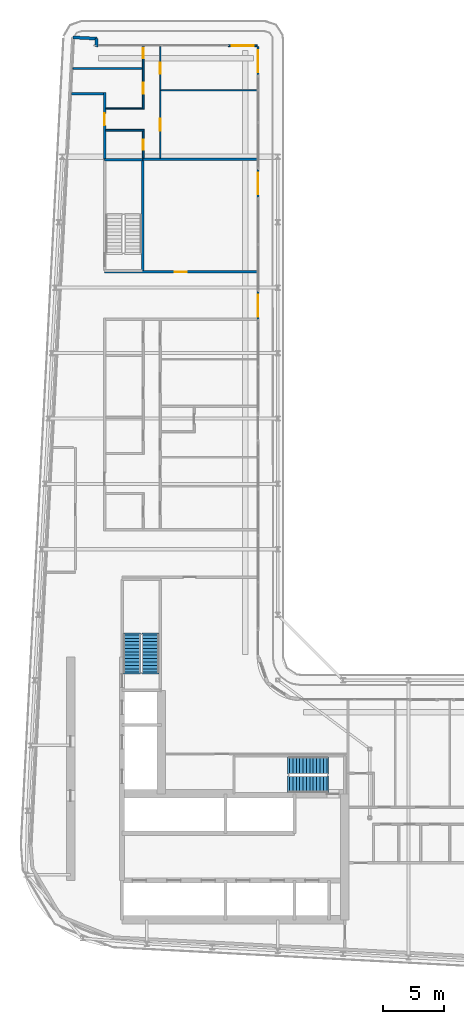
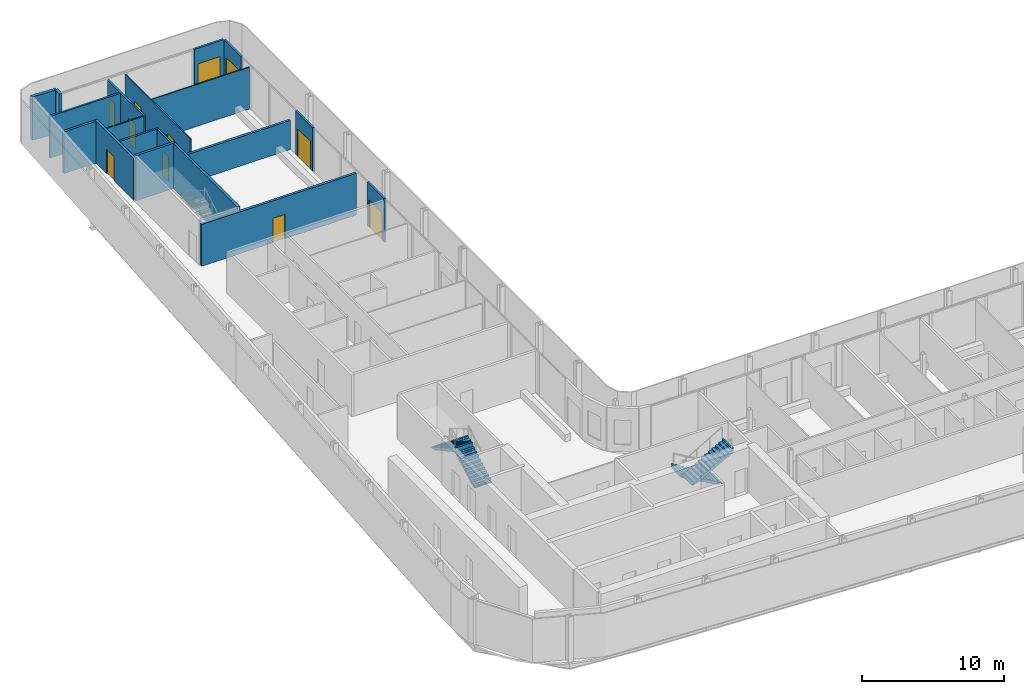
# One storey, part 14 of 22: 19 walls, 11 doors, 4 stair flights, 11 openings, 2 elements without a shape of their own.
"""IFC4 building model written with IfcOpenShell, lengths in metres."""

from ifc_helpers import new_model, si_unit, direction, frame, frame_2d, origin, place, context, subcontext, project, spatial, polyline, rectangle, outline, extrude, source, transform, mapped, material, layer, layer_set, type_object, element, fill, aggregate, save


model = new_model("IFC4")

# Units and contexts
model_context = context("Model", 3, precision=1e-05, world=origin(), true_north=direction((0.0, 1.0)))
body_context = subcontext(model_context, "Body", "Model", "MODEL_VIEW")
ifc_project = project(units=[si_unit("LENGTHUNIT", "METRE"), si_unit("AREAUNIT", "SQUARE_METRE"), si_unit("VOLUMEUNIT", "CUBIC_METRE"), si_unit("PLANEANGLEUNIT", "RADIAN"), si_unit("MASSUNIT", "GRAM", prefix="KILO")], contexts=[model_context])

# Site, building, storey
site_placement = place(None, origin())
site = spatial("IfcSite", under=ifc_project, at=site_placement, CompositionType="ELEMENT")
building_placement = place(site_placement, origin())
building = spatial("IfcBuilding", under=site, at=building_placement, Name="Kheshtan School and Residences Tower", CompositionType="ELEMENT")
storey_placement = place(building_placement, frame((0.0, 0.0, 263.0)))
storey = spatial("IfcBuildingStorey", under=building, at=storey_placement, Name="L62", CompositionType="ELEMENT", Elevation=263.0)

# Wall
ifc_material_1 = material(Name="Gypsum board on steel studs with fire boards", Category="steel")
ifc_layer_1 = layer(ifc_material_1, 0.199951171875)
ifc_layer_set_1 = layer_set([ifc_layer_1], Name="Corridor wall 200")
wall_type_1 = type_object("IfcWallType", Name="Corridor wall 200", PredefinedType="PARTITIONING", material=ifc_layer_set_1)
wall_1_placement = place(storey_placement, frame((30.584716796875, 94.0, 0.0), z_axis=(0.0, 0.0, 1.0), x_axis=(1.0, 0.0, 0.0)))
element("IfcWall", 1, at=wall_1_placement, inside=storey, type_object=wall_type_1, Name="Partition L62-002", PredefinedType="PARTITIONING", context=body_context, shape_type="SweptSolid", body=[
    extrude(rectangle(XDim=2.615234375, YDim=0.199951171875, at=frame_2d((1.3076171875, 0.0))), origin(), (0.0, 0.0, 1.0), 3.60009765625),
])

# Wall, opening, door
wall_2_placement = place(storey_placement, frame((33.300048828125, 79.300048828125, 0.0), z_axis=(0.0, 0.0, 1.0), x_axis=(1.0, 0.0, 0.0)))
wall_2 = element("IfcWall", 2, at=wall_2_placement, inside=storey, type_object=wall_type_1, Name="Partition L62-004", PredefinedType="PARTITIONING", context=body_context, shape_type="SweptSolid", body=[
    extrude(rectangle(XDim=12.599853515625, YDim=0.199951171875, at=frame_2d((6.2998046875, 0.0))), origin(), (0.0, 0.0, 1.0), 3.60009765625),
])
opening_1_placement = place(wall_2_placement, frame((5.794921875, 0.0, 0.0)))
opening_1 = element("IfcOpeningElement", 3, at=opening_1_placement, cuts=wall_2, Name="Opening D61-044", PredefinedType="OPENING", context=body_context, shape_type="SweptSolid", body=[
    extrude(rectangle(XDim=1.0, YDim=2.10009765625, at=frame_2d((0.5, 1.050048828125))), frame((0.0, 0.10986328125, 0.0), z_axis=(0.0, -1.0, 0.0), x_axis=(1.0, 0.0, 0.0)), (0.0, 0.0, 1.0), 0.219970703125),
])
ifc_material_2 = material(Name="Steel-framed fire-resisting door leaf", Category="steel")
door_type_1 = type_object("IfcDoorType", Name="Fire door FD60 1000 x 2100", OperationType="SINGLE_SWING_LEFT", PredefinedType="DOOR", material=ifc_material_2)
shared_shape_1 = source(origin(), body_context, "Body", "SweptSolid", [
    extrude(rectangle(XDim=1.0, YDim=2.10009765625, at=frame_2d((0.5, 1.050048828125))), frame((0.0, 0.02490234375, 0.0), z_axis=(0.0, -1.0, 0.0), x_axis=(1.0, 0.0, 0.0)), (0.0, 0.0, 1.0), 0.050048828125),
])
door_1_placement = place(opening_1_placement, origin())
door_1 = element("IfcDoor", 4, at=door_1_placement, inside=storey, type_object=door_type_1, Name="Door D61-044", OperationType="SINGLE_SWING_RIGHT", OverallHeight=2.10009765625, OverallWidth=1.0, PredefinedType="DOOR", context=body_context, shape_type="MappedRepresentation", body=[
    mapped(shared_shape_1, transform((0.0, 0.0, 0.0), x_axis=(1.0, 0.0, 0.0), y_axis=(0.0, 1.0, 0.0), z_axis=(0.0, 0.0, 1.0), scale=1.0)),
])
fill(opening_1, door_1)

wall_3_placement = place(storey_placement, frame((33.300048828125, 88.60009765625, 0.0), z_axis=(0.0, 0.0, 1.0), x_axis=(0.0, 1.0, 0.0)))
wall_3 = element("IfcWall", 5, at=wall_3_placement, inside=storey, type_object=wall_type_1, Name="Partition L62-005", PredefinedType="PARTITIONING", context=body_context, shape_type="SweptSolid", body=[
    extrude(rectangle(XDim=5.5, YDim=0.199951171875, at=frame_2d((2.75, 0.0))), origin(), (0.0, 0.0, 1.0), 3.60009765625),
])
opening_2_placement = place(wall_3_placement, frame((2.800048828125, 0.0, 0.0)))
opening_2 = element("IfcOpeningElement", 6, at=opening_2_placement, cuts=wall_3, Name="Opening D61-037", PredefinedType="OPENING", context=body_context, shape_type="SweptSolid", body=[
    extrude(rectangle(XDim=1.0, YDim=2.10009765625, at=frame_2d((0.5, 1.050048828125))), frame((0.0, 0.10986328125, 0.0), z_axis=(0.0, -1.0, 0.0), x_axis=(1.0, 0.0, 0.0)), (0.0, 0.0, 1.0), 0.219970703125),
])
door_type_2 = type_object("IfcDoorType", Name="Fire door FD30S 1000 x 2100", OperationType="SINGLE_SWING_LEFT", PredefinedType="DOOR", material=ifc_material_2)
shared_shape_2 = source(origin(), body_context, "Body", "SweptSolid", [
    extrude(rectangle(XDim=1.0, YDim=2.10009765625, at=frame_2d((0.5, 1.050048828125))), frame((0.0, 0.02490234375, 0.0), z_axis=(0.0, -1.0, 0.0), x_axis=(1.0, 0.0, 0.0)), (0.0, 0.0, 1.0), 0.050048828125),
])
door_2_placement = place(opening_2_placement, origin())
door_2 = element("IfcDoor", 7, at=door_2_placement, inside=storey, type_object=door_type_2, Name="Door D61-037", OperationType="SINGLE_SWING_LEFT", OverallHeight=2.10009765625, OverallWidth=1.0, PredefinedType="DOOR", context=body_context, shape_type="MappedRepresentation", body=[
    mapped(shared_shape_2, transform((0.0, 0.0, 0.0), x_axis=(1.0, 0.0, 0.0), y_axis=(0.0, 1.0, 0.0), z_axis=(0.0, 0.0, 1.0), scale=1.0)),
])
fill(opening_2, door_2)

# Walls
ifc_material_3 = material(Name="Concrete C40/50 with ceramic cladding and mineral wool insulation", Category="concrete")
ifc_layer_2 = layer(ifc_material_3, 0.25)
ifc_layer_set_2 = layer_set([ifc_layer_2], Name="External wall 250 ceramic clad")
wall_type_2 = type_object("IfcWallType", Name="External wall 250 ceramic clad", PredefinedType="SOLIDWALL", material=ifc_layer_set_2)
wall_4_placement = place(storey_placement, frame((30.705078125, 98.6640625, 0.0), z_axis=(0.0, 0.0, 1.0), x_axis=(0.998577785791, -0.053314216913, 0.0)))
element("IfcWall", 8, at=wall_4_placement, inside=storey, type_object=wall_type_2, Name="External wall L62 5", PredefinedType="SOLIDWALL", context=body_context, shape_type="SweptSolid", body=[
    extrude(rectangle(XDim=1.95068359375, YDim=0.25, at=frame_2d((0.975341796875, 0.0))), origin(), (0.0, 0.0, 1.0), 3.75),
])
wall_5_placement = place(storey_placement, frame((32.653076171875, 98.56005859375, 0.0), z_axis=(0.0, 0.0, 1.0), x_axis=(-0.054093451632, -0.998535877418, 0.0)))
element("IfcWall", 9, at=wall_5_placement, inside=storey, type_object=wall_type_2, Name="External wall L62 6", PredefinedType="SOLIDWALL", context=body_context, shape_type="SweptSolid", body=[
    extrude(rectangle(XDim=0.66796875, YDim=0.25, at=frame_2d((0.333984375, 0.0))), origin(), (0.0, 0.0, 1.0), 3.75),
])

# Wall, opening, door
ifc_material_4 = material(Name="Aluminium frame wall with insulated infill", Category="aluminium")
ifc_layer_3 = layer(ifc_material_4, 0.14990234375)
ifc_layer_set_3 = layer_set([ifc_layer_3], Name="Glazing frame wall 150")
wall_type_3 = type_object("IfcWallType", Name="Glazing frame wall 150", PredefinedType="SOLIDWALL", material=ifc_layer_set_3)
wall_6_placement = place(storey_placement, frame((43.5, 97.97509765625, 0.0), z_axis=(0.0, 0.0, 1.0), x_axis=(1.0, 0.0, 0.0)))
wall_6 = element("IfcWall", 10, at=wall_6_placement, inside=storey, type_object=wall_type_3, Name="Balcony door wall L62 7.1", PredefinedType="SOLIDWALL", context=body_context, shape_type="SweptSolid", body=[
    extrude(rectangle(XDim=2.39990234375, YDim=0.14990234375, at=frame_2d((1.199951171875, 0.0))), origin(), (0.0, 0.0, 1.0), 3.75),
])
opening_3_placement = place(wall_6_placement, frame((0.300048828125, 0.0, 0.0)))
opening_3 = element("IfcOpeningElement", 11, at=opening_3_placement, cuts=wall_6, Name="Opening BD", PredefinedType="OPENING", context=body_context, shape_type="SweptSolid", body=[
    extrude(rectangle(XDim=1.800048828125, YDim=2.39990234375, at=frame_2d((0.89990234375, 1.199951171875))), frame((0.0, 0.0849609375, 0.0), z_axis=(0.0, -1.0, 0.0), x_axis=(1.0, 0.0, 0.0)), (0.0, 0.0, 1.0), 0.169921875),
])
ifc_material_5 = material(Name="Clear low-e glass in thermally broken aluminium frame", Category="aluminium")
door_type_3 = type_object("IfcDoorType", Name="Balcony sliding door", OperationType="SLIDING_TO_LEFT", PredefinedType="DOOR", material=ifc_material_5)
shared_shape_3 = source(origin(), body_context, "Body", "SweptSolid", [
    extrude(rectangle(XDim=1.800048828125, YDim=2.39990234375, at=frame_2d((0.89990234375, 1.199951171875))), frame((0.0, 0.02490234375, 0.0), z_axis=(0.0, -1.0, 0.0), x_axis=(1.0, 0.0, 0.0)), (0.0, 0.0, 1.0), 0.050048828125),
])
door_3_placement = place(opening_3_placement, origin())
door_3 = element("IfcDoor", 12, at=door_3_placement, inside=storey, type_object=door_type_3, Name="Balcony door L62 7.1", OperationType="SLIDING_TO_LEFT", OverallHeight=2.39990234375, OverallWidth=1.800048828125, PredefinedType="DOOR", context=body_context, shape_type="MappedRepresentation", body=[
    mapped(shared_shape_3, transform((0.0, 0.0, 0.0), x_axis=(1.0, 0.0, 0.0), y_axis=(0.0, 1.0, 0.0), z_axis=(0.0, 0.0, 1.0), scale=1.0)),
])
fill(opening_3, door_3)

wall_7_placement = place(storey_placement, frame((45.97509765625, 97.89990234375, 0.0), z_axis=(0.0, 0.0, 1.0), x_axis=(0.0, -1.0, 0.0)))
wall_7 = element("IfcWall", 13, at=wall_7_placement, inside=storey, type_object=wall_type_3, Name="Balcony door wall L62 8.1", PredefinedType="SOLIDWALL", context=body_context, shape_type="SweptSolid", body=[
    extrude(rectangle(XDim=2.39990234375, YDim=0.14990234375, at=frame_2d((1.199951171875, 0.0))), origin(), (0.0, 0.0, 1.0), 3.75),
])
opening_4_placement = place(wall_7_placement, frame((0.300048828125, 0.0, 0.0)))
opening_4 = element("IfcOpeningElement", 14, at=opening_4_placement, cuts=wall_7, Name="Opening BD", PredefinedType="OPENING", context=body_context, shape_type="SweptSolid", body=[
    extrude(rectangle(XDim=1.800048828125, YDim=2.39990234375, at=frame_2d((0.89990234375, 1.199951171875))), frame((0.0, 0.0849609375, 0.0), z_axis=(0.0, -1.0, 0.0), x_axis=(1.0, 0.0, 0.0)), (0.0, 0.0, 1.0), 0.169921875),
])
door_4_placement = place(opening_4_placement, origin())
door_4 = element("IfcDoor", 15, at=door_4_placement, inside=storey, type_object=door_type_3, Name="Balcony door L62 8.1", OperationType="SLIDING_TO_LEFT", OverallHeight=2.39990234375, OverallWidth=1.800048828125, PredefinedType="DOOR", context=body_context, shape_type="MappedRepresentation", body=[
    mapped(shared_shape_3, transform((0.0, 0.0, 0.0), x_axis=(1.0, 0.0, 0.0), y_axis=(0.0, 1.0, 0.0), z_axis=(0.0, 0.0, 1.0), scale=1.0)),
])
fill(opening_4, door_4)

wall_8_placement = place(storey_placement, frame((45.97509765625, 87.805908203125, 0.0), z_axis=(0.0, 0.0, 1.0), x_axis=(0.0, -1.0, 0.0)))
wall_8 = element("IfcWall", 16, at=wall_8_placement, inside=storey, type_object=wall_type_3, Name="Balcony door wall L62 8.2", PredefinedType="SOLIDWALL", context=body_context, shape_type="SweptSolid", body=[
    extrude(rectangle(XDim=2.39990234375, YDim=0.14990234375, at=frame_2d((1.199951171875, 0.0))), origin(), (0.0, 0.0, 1.0), 3.75),
])
opening_5_placement = place(wall_8_placement, frame((0.300048828125, 0.0, 0.0)))
opening_5 = element("IfcOpeningElement", 17, at=opening_5_placement, cuts=wall_8, Name="Opening BD", PredefinedType="OPENING", context=body_context, shape_type="SweptSolid", body=[
    extrude(rectangle(XDim=1.800048828125, YDim=2.39990234375, at=frame_2d((0.89990234375, 1.199951171875))), frame((0.0, 0.0849609375, 0.0), z_axis=(0.0, -1.0, 0.0), x_axis=(1.0, 0.0, 0.0)), (0.0, 0.0, 1.0), 0.169921875),
])
door_5_placement = place(opening_5_placement, origin())
door_5 = element("IfcDoor", 18, at=door_5_placement, inside=storey, type_object=door_type_3, Name="Balcony door L62 8.2", OperationType="SLIDING_TO_LEFT", OverallHeight=2.39990234375, OverallWidth=1.800048828125, PredefinedType="DOOR", context=body_context, shape_type="MappedRepresentation", body=[
    mapped(shared_shape_3, transform((0.0, 0.0, 0.0), x_axis=(1.0, 0.0, 0.0), y_axis=(0.0, 1.0, 0.0), z_axis=(0.0, 0.0, 1.0), scale=1.0)),
])
fill(opening_5, door_5)

wall_9_placement = place(storey_placement, frame((45.97509765625, 77.7119140625, 0.0), z_axis=(0.0, 0.0, 1.0), x_axis=(0.0, -1.0, 0.0)))
wall_9 = element("IfcWall", 19, at=wall_9_placement, inside=storey, type_object=wall_type_3, Name="Balcony door wall L62 8.3", PredefinedType="SOLIDWALL", context=body_context, shape_type="SweptSolid", body=[
    extrude(rectangle(XDim=2.39990234375, YDim=0.14990234375, at=frame_2d((1.199951171875, 0.0))), origin(), (0.0, 0.0, 1.0), 3.75),
])
opening_6_placement = place(wall_9_placement, frame((0.300048828125, 0.0, 0.0)))
opening_6 = element("IfcOpeningElement", 20, at=opening_6_placement, cuts=wall_9, Name="Opening BD", PredefinedType="OPENING", context=body_context, shape_type="SweptSolid", body=[
    extrude(rectangle(XDim=1.800048828125, YDim=2.39990234375, at=frame_2d((0.89990234375, 1.199951171875))), frame((0.0, 0.0849609375, 0.0), z_axis=(0.0, -1.0, 0.0), x_axis=(1.0, 0.0, 0.0)), (0.0, 0.0, 1.0), 0.169921875),
])
door_6_placement = place(opening_6_placement, origin())
door_6 = element("IfcDoor", 21, at=door_6_placement, inside=storey, type_object=door_type_3, Name="Balcony door L62 8.3", OperationType="SLIDING_TO_LEFT", OverallHeight=2.39990234375, OverallWidth=1.800048828125, PredefinedType="DOOR", context=body_context, shape_type="MappedRepresentation", body=[
    mapped(shared_shape_3, transform((0.0, 0.0, 0.0), x_axis=(1.0, 0.0, 0.0), y_axis=(0.0, 1.0, 0.0), z_axis=(0.0, 0.0, 1.0), scale=1.0)),
])
fill(opening_6, door_6)

# Wall
ifc_material_6 = material(Name="Gypsum board on steel studs", Category="steel")
ifc_layer_4 = layer(ifc_material_6, 0.10009765625)
ifc_layer_set_4 = layer_set([ifc_layer_4], Name="Gypsum partition 100")
wall_type_4 = type_object("IfcWallType", Name="Gypsum partition 100", PredefinedType="PARTITIONING", material=ifc_layer_set_4)
wall_10_placement = place(storey_placement, frame((33.39990234375, 92.800048828125, 0.0), z_axis=(0.0, 0.0, 1.0), x_axis=(1.0, 0.0, 0.0)))
element("IfcWall", 22, at=wall_10_placement, inside=storey, type_object=wall_type_4, Name="Partition L62-013", PredefinedType="PARTITIONING", context=body_context, shape_type="SweptSolid", body=[
    extrude(rectangle(XDim=3.025146484375, YDim=0.10009765625, at=frame_2d((1.5126953125, 0.0))), origin(), (0.0, 0.0, 1.0), 3.60009765625),
])

# Wall, openings, doors
wall_11_placement = place(storey_placement, frame((37.89990234375, 88.699951171875, 0.0), z_axis=(0.0, 0.0, 1.0), x_axis=(0.0, 1.0, 0.0)))
wall_11 = element("IfcWall", 23, at=wall_11_placement, inside=storey, type_object=wall_type_4, Name="Partition L62-021", PredefinedType="PARTITIONING", context=body_context, shape_type="SweptSolid", body=[
    extrude(rectangle(XDim=9.199951171875, YDim=0.10009765625, at=frame_2d((4.60009765625, 0.0))), origin(), (0.0, 0.0, 1.0), 3.60009765625),
])
opening_7_placement = place(wall_11_placement, frame((6.949951171875, 0.0, 0.0)))
opening_7 = element("IfcOpeningElement", 24, at=opening_7_placement, cuts=wall_11, Name="Opening D61-036", PredefinedType="OPENING", context=body_context, shape_type="SweptSolid", body=[
    extrude(rectangle(XDim=0.89990234375, YDim=2.10009765625, at=frame_2d((0.449951171875, 1.050048828125))), frame((0.0, 0.06005859375, 0.0), z_axis=(0.0, -1.0, 0.0), x_axis=(1.0, 0.0, 0.0)), (0.0, 0.0, 1.0), 0.1201171875),
])
opening_8_placement = place(wall_11_placement, frame((2.25, 0.0, 0.0)))
opening_8 = element("IfcOpeningElement", 25, at=opening_8_placement, cuts=wall_11, Name="Opening D61-039", PredefinedType="OPENING", context=body_context, shape_type="SweptSolid", body=[
    extrude(rectangle(XDim=1.0, YDim=2.10009765625, at=frame_2d((0.5, 1.050048828125))), frame((0.0, 0.06005859375, 0.0), z_axis=(0.0, -1.0, 0.0), x_axis=(1.0, 0.0, 0.0)), (0.0, 0.0, 1.0), 0.1201171875),
])
ifc_material_7 = material(Name="Veneered timber door leaf", Category="wood")
door_type_4 = type_object("IfcDoorType", Name="Door 1000 x 2100", OperationType="SINGLE_SWING_LEFT", PredefinedType="DOOR", material=ifc_material_7)
shared_shape_4 = source(origin(), body_context, "Body", "SweptSolid", [
    extrude(rectangle(XDim=1.0, YDim=2.10009765625, at=frame_2d((0.5, 1.050048828125))), frame((0.0, 0.02490234375, 0.0), z_axis=(0.0, -1.0, 0.0), x_axis=(1.0, 0.0, 0.0)), (0.0, 0.0, 1.0), 0.050048828125),
])
door_7_placement = place(opening_8_placement, origin())
door_7 = element("IfcDoor", 26, at=door_7_placement, inside=storey, type_object=door_type_4, Name="Door D61-039", OperationType="SINGLE_SWING_RIGHT", OverallHeight=2.10009765625, OverallWidth=1.0, PredefinedType="DOOR", context=body_context, shape_type="MappedRepresentation", body=[
    mapped(shared_shape_4, transform((0.0, 0.0, 0.0), x_axis=(1.0, 0.0, 0.0), y_axis=(0.0, 1.0, 0.0), z_axis=(0.0, 0.0, 1.0), scale=1.0)),
])
fill(opening_8, door_7)
door_type_5 = type_object("IfcDoorType", Name="Door 900 x 2100", OperationType="SINGLE_SWING_LEFT", PredefinedType="DOOR", material=ifc_material_7)
shared_shape_5 = source(origin(), body_context, "Body", "SweptSolid", [
    extrude(rectangle(XDim=0.89990234375, YDim=2.10009765625, at=frame_2d((0.449951171875, 1.050048828125))), frame((0.0, 0.02490234375, 0.0), z_axis=(0.0, -1.0, 0.0), x_axis=(1.0, 0.0, 0.0)), (0.0, 0.0, 1.0), 0.050048828125),
])
door_8_placement = place(opening_7_placement, origin())
door_8 = element("IfcDoor", 27, at=door_8_placement, inside=storey, type_object=door_type_5, Name="Door D61-036", OperationType="SINGLE_SWING_RIGHT", OverallHeight=2.10009765625, OverallWidth=0.89990234375, PredefinedType="DOOR", context=body_context, shape_type="MappedRepresentation", body=[
    mapped(shared_shape_5, transform((0.0, 0.0, 0.0), x_axis=(1.0, 0.0, 0.0), y_axis=(0.0, 1.0, 0.0), z_axis=(0.0, 0.0, 1.0), scale=1.0)),
])
fill(opening_7, door_8)

# Walls
wall_12_placement = place(storey_placement, frame((37.949951171875, 94.300048828125, 0.0), z_axis=(0.0, 0.0, 1.0), x_axis=(1.0, 0.0, 0.0)))
element("IfcWall", 28, at=wall_12_placement, inside=storey, type_object=wall_type_4, Name="Partition L62-022", PredefinedType="PARTITIONING", context=body_context, shape_type="SweptSolid", body=[
    extrude(rectangle(XDim=7.949951171875, YDim=0.10009765625, at=frame_2d((3.97509765625, 0.0))), origin(), (0.0, 0.0, 1.0), 3.60009765625),
])
ifc_material_8 = material(Name="Concrete C40/50", Category="concrete")
ifc_layer_5 = layer(ifc_material_8, 0.199951171875)
ifc_layer_set_5 = layer_set([ifc_layer_5], Name="Stair enclosure wall 200 Concrete C40/50")
wall_type_5 = type_object("IfcWallType", Name="Stair enclosure wall 200 Concrete C40/50", PredefinedType="SHEAR", material=ifc_layer_set_5)
wall_13_placement = place(storey_placement, frame((33.300048828125, 88.56005859375, 0.0), z_axis=(0.0, 0.0, 1.0), x_axis=(1.0, 0.0, 0.0)))
element("IfcWall", 29, at=wall_13_placement, inside=storey, type_object=wall_type_5, Name="Stair enclosure wall ST3", PredefinedType="SHEAR", context=body_context, shape_type="SweptSolid", body=[
    extrude(rectangle(XDim=3.14990234375, YDim=0.199951171875, at=frame_2d((1.574951171875, 0.0))), origin(), (0.0, 0.0, 1.0), 3.89990234375),
])
wall_14_placement = place(storey_placement, frame((36.449951171875, 79.39990234375, 0.0), z_axis=(0.0, 0.0, 1.0), x_axis=(0.0, 1.0, 0.0)))
element("IfcWall", 30, at=wall_14_placement, inside=storey, type_object=wall_type_5, Name="Stair enclosure wall ST3", PredefinedType="SHEAR", context=body_context, shape_type="SweptSolid", body=[
    extrude(rectangle(XDim=9.16015625, YDim=0.199951171875, at=frame_2d((4.580078125, 0.0))), origin(), (0.0, 0.0, 1.0), 3.89990234375),
])
ifc_material_9 = material(Name="Twin gypsum board on steel studs with mineral wool", Category="steel")
ifc_layer_6 = layer(ifc_material_9, 0.199951171875)
ifc_layer_set_6 = layer_set([ifc_layer_6], Name="Unit demising wall 200")
wall_type_6 = type_object("IfcWallType", Name="Unit demising wall 200", PredefinedType="PARTITIONING", material=ifc_layer_set_6)
wall_15_placement = place(storey_placement, frame((36.425048828125, 88.60009765625, 0.0), z_axis=(0.0, 0.0, 1.0), x_axis=(1.0, 0.0, 0.0)))
element("IfcWall", 31, at=wall_15_placement, inside=storey, type_object=wall_type_6, Name="Partition L62-015", PredefinedType="PARTITIONING", context=body_context, shape_type="SweptSolid", body=[
    extrude(rectangle(XDim=9.474853515625, YDim=0.199951171875, at=frame_2d((4.7373046875, 0.0))), origin(), (0.0, 0.0, 1.0), 2.5),
])
ifc_material_10 = material(Name="Moisture-resistant gypsum board on steel studs", Category="steel")
ifc_layer_7 = layer(ifc_material_10, 0.14990234375)
ifc_layer_set_7 = layer_set([ifc_layer_7], Name="Wet-room partition 150")
wall_type_7 = type_object("IfcWallType", Name="Wet-room partition 150", PredefinedType="PARTITIONING", material=ifc_layer_set_7)
wall_16_placement = place(storey_placement, frame((30.695068359375, 96.10009765625, 0.0), z_axis=(0.0, 0.0, 1.0), x_axis=(1.0, 0.0, 0.0)))
element("IfcWall", 32, at=wall_16_placement, inside=storey, type_object=wall_type_7, Name="Partition L62-001", PredefinedType="PARTITIONING", context=body_context, shape_type="SweptSolid", body=[
    extrude(rectangle(XDim=5.72998046875, YDim=0.14990234375, at=frame_2d((2.864990234375, 0.0))), origin(), (0.0, 0.0, 1.0), 3.60009765625),
])
wall_17_placement = place(storey_placement, frame((33.39990234375, 91.0, 0.0), z_axis=(0.0, 0.0, 1.0), x_axis=(1.0, 0.0, 0.0)))
element("IfcWall", 33, at=wall_17_placement, inside=storey, type_object=wall_type_7, Name="Partition L62-012", PredefinedType="PARTITIONING", context=body_context, shape_type="SweptSolid", body=[
    extrude(rectangle(XDim=3.175048828125, YDim=0.14990234375, at=frame_2d((1.58740234375, 0.0))), origin(), (0.0, 0.0, 1.0), 3.60009765625),
])

# Wall, opening, door
wall_18_placement = place(storey_placement, frame((36.5, 88.699951171875, 0.0), z_axis=(0.0, 0.0, 1.0), x_axis=(0.0, 1.0, 0.0)))
wall_18 = element("IfcWall", 34, at=wall_18_placement, inside=storey, type_object=wall_type_7, Name="Partition L62-018", PredefinedType="PARTITIONING", context=body_context, shape_type="SweptSolid", body=[
    extrude(rectangle(XDim=2.22509765625, YDim=0.14990234375, at=frame_2d((1.112548828125, 0.0))), origin(), (0.0, 0.0, 1.0), 3.60009765625),
])
opening_9_placement = place(wall_18_placement, frame((0.699951171875, 0.0, 0.0)))
opening_9 = element("IfcOpeningElement", 35, at=opening_9_placement, cuts=wall_18, Name="Opening D61-035", PredefinedType="OPENING", context=body_context, shape_type="SweptSolid", body=[
    extrude(rectangle(XDim=0.800048828125, YDim=2.10009765625, at=frame_2d((0.39990234375, 1.050048828125))), frame((0.0, 0.0849609375, 0.0), z_axis=(0.0, -1.0, 0.0), x_axis=(1.0, 0.0, 0.0)), (0.0, 0.0, 1.0), 0.169921875),
])
door_type_6 = type_object("IfcDoorType", Name="Door 800 x 2100", OperationType="SINGLE_SWING_LEFT", PredefinedType="DOOR", material=ifc_material_7)
shared_shape_6 = source(origin(), body_context, "Body", "SweptSolid", [
    extrude(rectangle(XDim=0.800048828125, YDim=2.10009765625, at=frame_2d((0.39990234375, 1.050048828125))), frame((0.0, 0.02490234375, 0.0), z_axis=(0.0, -1.0, 0.0), x_axis=(1.0, 0.0, 0.0)), (0.0, 0.0, 1.0), 0.050048828125),
])
door_9_placement = place(opening_9_placement, origin())
door_9 = element("IfcDoor", 36, at=door_9_placement, inside=storey, type_object=door_type_6, Name="Door D61-035", OperationType="SINGLE_SWING_LEFT", OverallHeight=2.10009765625, OverallWidth=0.800048828125, PredefinedType="DOOR", context=body_context, shape_type="MappedRepresentation", body=[
    mapped(shared_shape_6, transform((0.0, 0.0, 0.0), x_axis=(1.0, 0.0, 0.0), y_axis=(0.0, 1.0, 0.0), z_axis=(0.0, 0.0, 1.0), scale=1.0)),
])
fill(opening_9, door_9)

# Wall, openings, doors
wall_19_placement = place(storey_placement, frame((36.5, 92.75, 0.0), z_axis=(0.0, 0.0, 1.0), x_axis=(0.0, 1.0, 0.0)))
wall_19 = element("IfcWall", 37, at=wall_19_placement, inside=storey, type_object=wall_type_7, Name="Partition L62-019", PredefinedType="PARTITIONING", context=body_context, shape_type="SweptSolid", body=[
    extrude(rectangle(XDim=5.14990234375, YDim=0.14990234375, at=frame_2d((2.574951171875, 0.0))), origin(), (0.0, 0.0, 1.0), 3.60009765625),
])
opening_10_placement = place(wall_19_placement, frame((1.25, 0.0, 0.0)))
opening_10 = element("IfcOpeningElement", 38, at=opening_10_placement, cuts=wall_19, Name="Opening D61-038", PredefinedType="OPENING", context=body_context, shape_type="SweptSolid", body=[
    extrude(rectangle(XDim=0.89990234375, YDim=2.10009765625, at=frame_2d((0.449951171875, 1.050048828125))), frame((0.0, 0.0849609375, 0.0), z_axis=(0.0, -1.0, 0.0), x_axis=(1.0, 0.0, 0.0)), (0.0, 0.0, 1.0), 0.169921875),
])
opening_11_placement = place(wall_19_placement, frame((4.199951171875, 0.0, 0.0)))
opening_11 = element("IfcOpeningElement", 39, at=opening_11_placement, cuts=wall_19, Name="Opening D61-040", PredefinedType="OPENING", context=body_context, shape_type="SweptSolid", body=[
    extrude(rectangle(XDim=0.800048828125, YDim=2.10009765625, at=frame_2d((0.39990234375, 1.050048828125))), frame((0.0, 0.0849609375, 0.0), z_axis=(0.0, -1.0, 0.0), x_axis=(1.0, 0.0, 0.0)), (0.0, 0.0, 1.0), 0.169921875),
])
door_10_placement = place(opening_11_placement, origin())
door_10 = element("IfcDoor", 40, at=door_10_placement, inside=storey, type_object=door_type_6, Name="Door D61-040", OperationType="SINGLE_SWING_LEFT", OverallHeight=2.10009765625, OverallWidth=0.800048828125, PredefinedType="DOOR", context=body_context, shape_type="MappedRepresentation", body=[
    mapped(shared_shape_6, transform((0.0, 0.0, 0.0), x_axis=(1.0, 0.0, 0.0), y_axis=(0.0, 1.0, 0.0), z_axis=(0.0, 0.0, 1.0), scale=1.0)),
])
fill(opening_11, door_10)
door_11_placement = place(opening_10_placement, origin())
door_11 = element("IfcDoor", 41, at=door_11_placement, inside=storey, type_object=door_type_5, Name="Door D61-038", OperationType="SINGLE_SWING_RIGHT", OverallHeight=2.10009765625, OverallWidth=0.89990234375, PredefinedType="DOOR", context=body_context, shape_type="MappedRepresentation", body=[
    mapped(shared_shape_5, transform((0.0, 0.0, 0.0), x_axis=(1.0, 0.0, 0.0), y_axis=(0.0, 1.0, 0.0), z_axis=(0.0, 0.0, 1.0), scale=1.0)),
])
fill(opening_10, door_11)

# Stair, stair flights
stair_type = type_object("IfcStairType", Name="Exit stair, half-turn", PredefinedType="HALF_TURN_STAIR", material=ifc_material_8)
stair_1_placement = place(storey_placement, origin())
stair_1 = element("IfcStair", 42, at=stair_1_placement, inside=storey, type_object=stair_type, Name="L62 Protected Exit Stair ST1", PredefinedType="HALF_TURN_STAIR")
ifc_layer_8 = layer(ifc_material_8, 0.14990234375)
ifc_layer_set_8 = layer_set([ifc_layer_8], Name="Stair flight 1400 Concrete C40/50")
stair_flight_type = type_object("IfcStairFlightType", Name="Stair flight 1400 Concrete C40/50", PredefinedType="STRAIGHT", material=ifc_layer_set_8)
stair_flight_1_placement = place(storey_placement, frame((51.64990234375, 38.550048828125, 0.0), z_axis=(0.0, 0.0, 1.0), x_axis=(-1.0, 0.0, 0.0)))
stair_flight_1 = element("IfcStairFlight", 43, at=stair_flight_1_placement, type_object=stair_flight_type, Name="ST1 flight 1", NumberOfRisers=12, NumberOfTreads=11, PredefinedType="STRAIGHT", RiserHeight=0.1625, TreadLength=0.28, context=body_context, shape_type="SweptSolid", body=[
    extrude(outline(polyline([(-0.14990234375, -0.10009765625), (-0.14990234375, 0.0), (0.0, 0.0), (0.0, 0.16259765625), (0.280029296875, 0.16259765625), (0.280029296875, 0.324951171875), (0.56005859375, 0.324951171875), (0.56005859375, 0.487548828125), (0.840087890625, 0.487548828125), (0.840087890625, 0.64990234375), (1.1201171875, 0.64990234375), (1.1201171875, 0.8125), (1.39990234375, 0.8125), (1.39990234375, 0.97509765625), (1.679931640625, 0.97509765625), (1.679931640625, 1.137451171875), (1.9599609375, 1.137451171875), (1.9599609375, 1.300048828125), (2.239990234375, 1.300048828125), (2.239990234375, 1.46240234375), (2.52001953125, 1.46240234375), (2.52001953125, 1.625), (2.800048828125, 1.625), (2.800048828125, 1.78759765625), (3.080078125, 1.78759765625), (3.080078125, 1.949951171875), (3.080078125, 1.969970703125), (3.22998046875, 1.969970703125), (3.22998046875, 1.6142578125), (0.298583984375, 0.0), (-0.14990234375, -0.10009765625)])), frame((0.0, 0.699951171875, 0.0), z_axis=(0.0, -1.0, 0.0), x_axis=(1.0, 0.0, 0.0)), (0.0, 0.0, 1.0), 1.39990234375),
])
stair_flight_2_placement = place(storey_placement, frame((48.570068359375, 37.0, 1.949951171875), z_axis=(0.0, 0.0, 1.0), x_axis=(1.0, 0.0, 0.0)))
stair_flight_2 = element("IfcStairFlight", 44, at=stair_flight_2_placement, type_object=stair_flight_type, Name="ST1 flight 2", NumberOfRisers=12, NumberOfTreads=11, PredefinedType="STRAIGHT", RiserHeight=0.1625, TreadLength=0.28, context=body_context, shape_type="SweptSolid", body=[
    extrude(outline(polyline([(-0.14990234375, -0.10009765625), (-0.14990234375, 0.0), (0.0, 0.0), (0.0, 0.16259765625), (0.280029296875, 0.16259765625), (0.280029296875, 0.324951171875), (0.56005859375, 0.324951171875), (0.56005859375, 0.487548828125), (0.840087890625, 0.487548828125), (0.840087890625, 0.64990234375), (1.1201171875, 0.64990234375), (1.1201171875, 0.8125), (1.39990234375, 0.8125), (1.39990234375, 0.97509765625), (1.679931640625, 0.97509765625), (1.679931640625, 1.137451171875), (1.9599609375, 1.137451171875), (1.9599609375, 1.300048828125), (2.239990234375, 1.300048828125), (2.239990234375, 1.46240234375), (2.52001953125, 1.46240234375), (2.52001953125, 1.625), (2.800048828125, 1.625), (2.800048828125, 1.78759765625), (3.080078125, 1.78759765625), (3.080078125, 1.949951171875), (3.080078125, 1.969970703125), (3.22998046875, 1.969970703125), (3.22998046875, 1.6142578125), (0.298583984375, 0.0), (-0.14990234375, -0.10009765625)])), frame((0.0, 0.699951171875, 0.0), z_axis=(0.0, -1.0, 0.0), x_axis=(1.0, 0.0, 0.0)), (0.0, 0.0, 1.0), 1.39990234375),
])
aggregate(stair_1, [stair_flight_1, stair_flight_2])

stair_2_placement = place(storey_placement, origin())
stair_2 = element("IfcStair", 45, at=stair_2_placement, inside=storey, type_object=stair_type, Name="L62 Protected Exit Stair ST2", PredefinedType="HALF_TURN_STAIR")
stair_flight_3_placement = place(storey_placement, frame((37.10009765625, 46.25, 0.0), z_axis=(0.0, 0.0, 1.0), x_axis=(0.0, 1.0, 0.0)))
stair_flight_3 = element("IfcStairFlight", 46, at=stair_flight_3_placement, type_object=stair_flight_type, Name="ST2 flight 1", NumberOfRisers=12, NumberOfTreads=11, PredefinedType="STRAIGHT", RiserHeight=0.1625, TreadLength=0.28, context=body_context, shape_type="SweptSolid", body=[
    extrude(outline(polyline([(-0.14990234375, -0.10009765625), (-0.14990234375, 0.0), (0.0, 0.0), (0.0, 0.16259765625), (0.280029296875, 0.16259765625), (0.280029296875, 0.324951171875), (0.56005859375, 0.324951171875), (0.56005859375, 0.487548828125), (0.840087890625, 0.487548828125), (0.840087890625, 0.64990234375), (1.1201171875, 0.64990234375), (1.1201171875, 0.8125), (1.39990234375, 0.8125), (1.39990234375, 0.97509765625), (1.679931640625, 0.97509765625), (1.679931640625, 1.137451171875), (1.9599609375, 1.137451171875), (1.9599609375, 1.300048828125), (2.239990234375, 1.300048828125), (2.239990234375, 1.46240234375), (2.52001953125, 1.46240234375), (2.52001953125, 1.625), (2.800048828125, 1.625), (2.800048828125, 1.78759765625), (3.080078125, 1.78759765625), (3.080078125, 1.949951171875), (3.080078125, 1.969970703125), (3.22998046875, 1.969970703125), (3.22998046875, 1.6142578125), (0.298583984375, 0.0), (-0.14990234375, -0.10009765625)])), frame((0.0, 0.699951171875, 0.0), z_axis=(0.0, -1.0, 0.0), x_axis=(1.0, 0.0, 0.0)), (0.0, 0.0, 1.0), 1.39990234375),
])
stair_flight_4_placement = place(storey_placement, frame((35.550048828125, 49.330078125, 1.949951171875), z_axis=(0.0, 0.0, 1.0), x_axis=(0.0, -1.0, 0.0)))
stair_flight_4 = element("IfcStairFlight", 47, at=stair_flight_4_placement, type_object=stair_flight_type, Name="ST2 flight 2", NumberOfRisers=12, NumberOfTreads=11, PredefinedType="STRAIGHT", RiserHeight=0.1625, TreadLength=0.28, context=body_context, shape_type="SweptSolid", body=[
    extrude(outline(polyline([(-0.14990234375, -0.10009765625), (-0.14990234375, 0.0), (0.0, 0.0), (0.0, 0.16259765625), (0.280029296875, 0.16259765625), (0.280029296875, 0.324951171875), (0.56005859375, 0.324951171875), (0.56005859375, 0.487548828125), (0.840087890625, 0.487548828125), (0.840087890625, 0.64990234375), (1.1201171875, 0.64990234375), (1.1201171875, 0.8125), (1.39990234375, 0.8125), (1.39990234375, 0.97509765625), (1.679931640625, 0.97509765625), (1.679931640625, 1.137451171875), (1.9599609375, 1.137451171875), (1.9599609375, 1.300048828125), (2.239990234375, 1.300048828125), (2.239990234375, 1.46240234375), (2.52001953125, 1.46240234375), (2.52001953125, 1.625), (2.800048828125, 1.625), (2.800048828125, 1.78759765625), (3.080078125, 1.78759765625), (3.080078125, 1.949951171875), (3.080078125, 1.969970703125), (3.22998046875, 1.969970703125), (3.22998046875, 1.6142578125), (0.298583984375, 0.0), (-0.14990234375, -0.10009765625)])), frame((0.0, 0.699951171875, 0.0), z_axis=(0.0, -1.0, 0.0), x_axis=(1.0, 0.0, 0.0)), (0.0, 0.0, 1.0), 1.39990234375),
])
aggregate(stair_2, [stair_flight_3, stair_flight_4])

save(model, "model.ifc")
